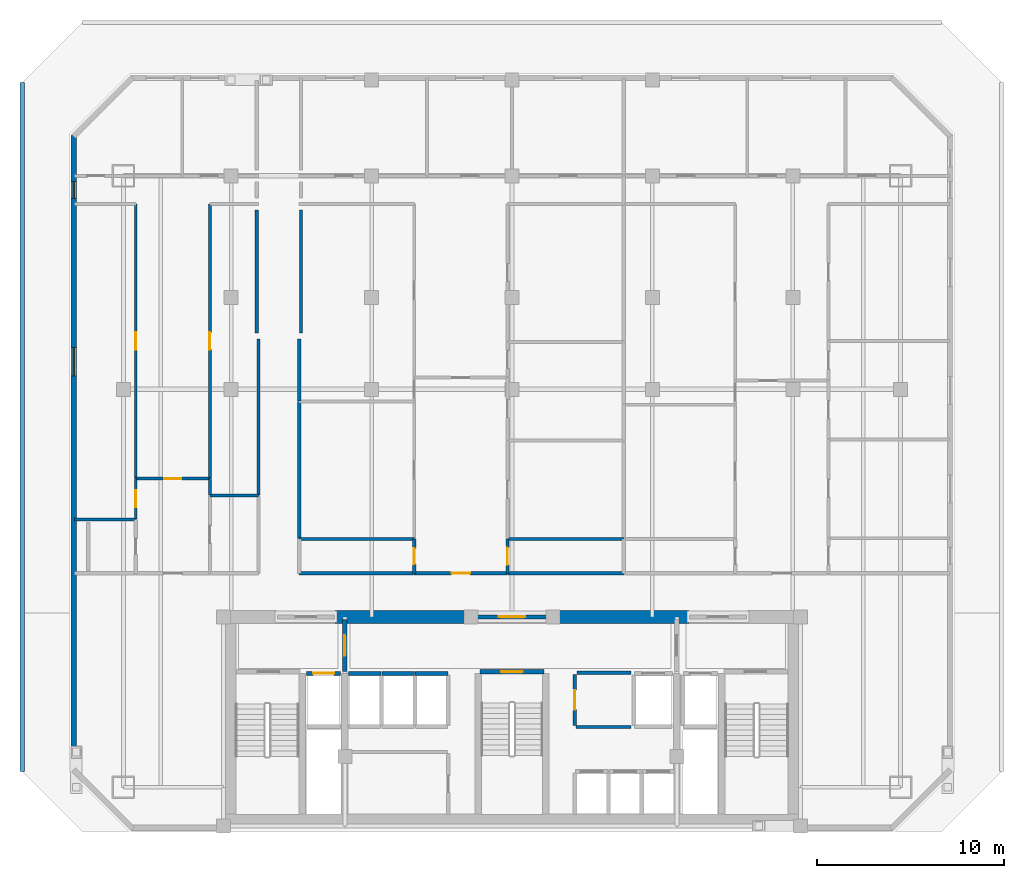
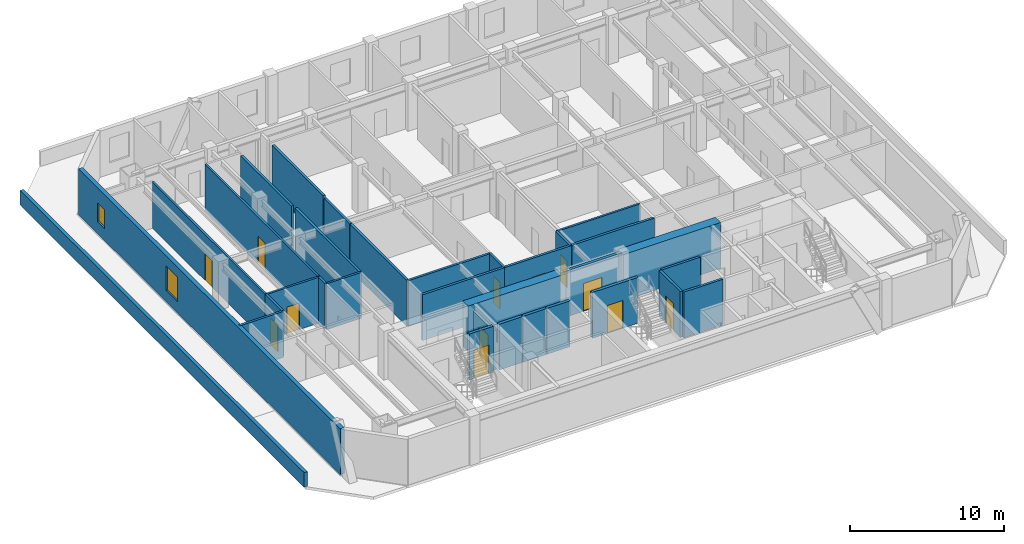
# One storey, part 3 of 8: 33 walls, 12 doors, 2 windows, 14 openings.
"""IFC4 building model written with IfcOpenShell, lengths in metres."""

import ifcopenshell
import ifcopenshell.guid

model = None  # the IFC model being written
_history = None  # IfcOwnerHistory: only IFC2X3 demands one
_inside = {}  # id of a spatial element -> (the spatial element, [elements in it])
_under = {}  # id of a project, library or spatial element -> (it, [spatial elements below it])
_declared = {}  # id of a project -> (the project, [libraries it declares])
_typed = {}  # id of a type object -> (the type object, [elements of that type])
_made_of = {}  # id of a material, layer set ... -> (it, [elements and type objects made of it])


def new_model(schema):
    """Start an empty IFC model of exactly this schema.

    Asked for "IFC4X3", IfcOpenShell would pick the latest addendum, in which some entities
    have other attributes; the version numbers below select the first issue.
    IFC2X3 requires an IfcOwnerHistory on every rooted entity: one is made here for all.
    """
    global model, _history
    if schema == "IFC4X3":
        model = ifcopenshell.file(schema_version=(4, 3, 0, 0))
    else:
        model = ifcopenshell.file(schema=schema)
    _inside.clear()
    _under.clear()
    _declared.clear()
    _typed.clear()
    _made_of.clear()
    _history = None
    if model.schema == "IFC2X3":
        org = make("IfcOrganization", Name="unknown")
        user = make(
            "IfcPersonAndOrganization",
            ThePerson=make("IfcPerson", FamilyName="unknown"),
            TheOrganization=org,
        )
        app = make(
            "IfcApplication",
            ApplicationDeveloper=org,
            Version="unknown",
            ApplicationFullName="unknown",
            ApplicationIdentifier="unknown",
        )
        _history = make(
            "IfcOwnerHistory",
            OwningUser=user,
            OwningApplication=app,
            ChangeAction="ADDED",
            CreationDate=0,
        )
    return model


def make(cls, **values):
    """One entity of the class cls with the attributes given. An attribute that is None is left unset."""
    return model.create_entity(
        cls, **{name: value for name, value in values.items() if value is not None}
    )


def rooted(cls, **values):
    """An entity with a GlobalId (a new one), such as an element, a storey or a relation."""
    return make(cls, GlobalId=ifcopenshell.guid.new(), OwnerHistory=_history, **values)


def si_unit(unit_type, name, prefix=None):
    """IfcSIUnit, for example si_unit("LENGTHUNIT", "METRE", prefix="MILLI")."""
    return make("IfcSIUnit", UnitType=unit_type, Prefix=prefix, Name=name)


def assignment(units):
    """IfcUnitAssignment: the units of a project."""
    return None if units is None else make("IfcUnitAssignment", Units=units)


def point(xyz):
    """IfcCartesianPoint."""
    return None if xyz is None else make("IfcCartesianPoint", Coordinates=xyz)


def direction(xyz):
    """IfcDirection."""
    return None if xyz is None else make("IfcDirection", DirectionRatios=xyz)


def frame(location, z_axis=None, x_axis=None):
    """IfcAxis2Placement3D, a coordinate frame: its origin and axes. An axis left out is left unset."""
    return make(
        "IfcAxis2Placement3D",
        Location=point(location),
        Axis=direction(z_axis),
        RefDirection=direction(x_axis),
    )


def frame_2d(location, x_axis=None):
    """IfcAxis2Placement2D, a coordinate frame in the plane: its origin and x axis."""
    return make(
        "IfcAxis2Placement2D", Location=point(location), RefDirection=direction(x_axis)
    )


def origin():
    """The frame at (0, 0, 0) with its axes left unset."""
    return frame((0.0, 0.0, 0.0))


def place(relative_to, where):
    """IfcLocalPlacement: puts the frame where relative to a parent placement (None: the world)."""
    return make(
        "IfcLocalPlacement", PlacementRelTo=relative_to, RelativePlacement=where
    )


def context(
    kind, dimensions, precision=None, world=None, true_north=None, identifier=None
):
    """IfcGeometricRepresentationContext, for example the 3D "Model" context."""
    return make(
        "IfcGeometricRepresentationContext",
        ContextIdentifier=identifier,
        ContextType=kind,
        CoordinateSpaceDimension=dimensions,
        Precision=precision,
        WorldCoordinateSystem=world,
        TrueNorth=true_north,
    )


def subcontext(parent, identifier, kind, view, scale=None):
    """IfcGeometricRepresentationSubContext, for example "Body" below "Model"."""
    return make(
        "IfcGeometricRepresentationSubContext",
        ContextIdentifier=identifier,
        ContextType=kind,
        ParentContext=parent,
        TargetScale=scale,
        TargetView=view,
    )


def project(units=None, contexts=None):
    """IfcProject with its units and contexts."""
    return rooted(
        "IfcProject",
        Name="project",
        RepresentationContexts=contexts,
        UnitsInContext=assignment(units),
    )


def spatial(cls, under=None, at=None, **own):
    """A site, building, storey or space (cls), placed at a placement, below another one or the project."""
    s = rooted(cls, ObjectPlacement=at, **own)
    if under is not None:
        _under.setdefault(under.id(), (under, []))[1].append(s)
    return s


def profile(cls, at=None, kind="AREA", **sizes):
    """A parametric profile (cls). Its sizes go by their IFC names, for example OverallWidth=200.0."""
    return make(cls, ProfileType=kind, Position=at, **sizes)


def rectangle(**sizes):
    """IfcRectangleProfileDef."""
    return profile("IfcRectangleProfileDef", **sizes)


def extrude(swept, where, along, depth):
    """IfcExtrudedAreaSolid: the profile swept, set in the frame where, extruded along a direction by depth."""
    return make(
        "IfcExtrudedAreaSolid",
        SweptArea=swept,
        Position=where,
        ExtrudedDirection=direction(along),
        Depth=depth,
    )


def shape(context_of_items, identifier, shape_type, items):
    """IfcShapeRepresentation: the items that make up one representation, for example the "Body"."""
    return make(
        "IfcShapeRepresentation",
        ContextOfItems=context_of_items,
        RepresentationIdentifier=identifier,
        RepresentationType=shape_type,
        Items=items,
    )


def material(Name=None, Category=None):
    """IfcMaterial."""
    return make("IfcMaterial", Name=Name, Category=Category)


def layer(
    of_material, thickness, ventilated=None, Name=None, Category=None, Priority=None
):
    """IfcMaterialLayer: one layer of a wall or slab, of a material (None: an air gap)."""
    return make(
        "IfcMaterialLayer",
        Material=of_material,
        LayerThickness=thickness,
        IsVentilated=ventilated,
        Name=Name,
        Category=Category,
        Priority=Priority,
    )


def layer_set(layers, Name=None):
    """IfcMaterialLayerSet."""
    return make("IfcMaterialLayerSet", MaterialLayers=layers, LayerSetName=Name)


def made_of(thing, what):
    """Note that an element or type object is made of a material, layer set ...; save() writes the relation."""
    if what is not None:
        _made_of.setdefault(what.id(), (what, []))[1].append(thing)
    return thing


def type_object(cls, material=None, **own):
    """A type object (cls), such as IfcWallType, which elements share."""
    return made_of(rooted(cls, **own), material)


def element(
    cls,
    number,
    at=None,
    inside=None,
    cuts=None,
    type_object=None,
    material=None,
    context=None,
    identifier="Body",
    shape_type=None,
    held_by="IfcProductDefinitionShape",
    body=None,
    shapes=None,
    **own,
):
    """One element of the class cls, such as IfcWall. Its Tag is "e" and its number.

    at: its placement. inside: the storey or other place that contains it. cuts: it is an
    opening in that element (IfcRelVoidsElement). A single representation is given by context,
    identifier, shape_type and body (its items); several are given by shapes. held_by: the class
    of the entity that holds the representations. save() writes the other relations.
    """
    e = rooted(cls, Tag="e%d" % number, ObjectPlacement=at, **own)
    if body is not None:
        shapes = [shape(context, identifier, shape_type, body)]
    if shapes is not None:
        e.Representation = make(held_by, Representations=shapes)
    if inside is not None:
        _inside.setdefault(inside.id(), (inside, []))[1].append(e)
    if cuts is not None:
        rooted(
            "IfcRelVoidsElement", RelatingBuildingElement=cuts, RelatedOpeningElement=e
        )
    if type_object is not None:
        _typed.setdefault(type_object.id(), (type_object, []))[1].append(e)
    return made_of(e, material)


def fill(opening, filler):
    """IfcRelFillsElement: the door or window that sits in an opening."""
    return rooted(
        "IfcRelFillsElement",
        RelatingOpeningElement=opening,
        RelatedBuildingElement=filler,
    )


def aggregate(whole, parts):
    """IfcRelAggregates: a whole, such as a stair, and the parts it consists of."""
    return rooted("IfcRelAggregates", RelatingObject=whole, RelatedObjects=parts)


def save(model, path):
    """Write the relations noted so far, then the file.

    IfcRelAggregates (storeys below a building ...), IfcRelContainedInSpatialStructure (elements
    in a storey), IfcRelDefinesByType, IfcRelAssociatesMaterial and IfcRelDeclares: one each for
    every whole, place, type object, material and project.
    """
    for whole, parts in _under.values():
        aggregate(whole, parts)
    for where, things in _inside.values():
        rooted(
            "IfcRelContainedInSpatialStructure",
            RelatedElements=things,
            RelatingStructure=where,
        )
    for kind, things in _typed.values():
        rooted("IfcRelDefinesByType", RelatedObjects=things, RelatingType=kind)
    for what, things in _made_of.values():
        rooted("IfcRelAssociatesMaterial", RelatedObjects=things, RelatingMaterial=what)
    for by, libraries in _declared.values():
        rooted("IfcRelDeclares", RelatingContext=by, RelatedDefinitions=libraries)
    model.write(path)


model = new_model("IFC4")

# Units and contexts
model_context = context("Model", 3, precision=1e-05, world=origin(), true_north=direction((0.0, 1.0)))
body_context = subcontext(model_context, "Body", "Model", "MODEL_VIEW")
ifc_project = project(units=[si_unit("LENGTHUNIT", "METRE"), si_unit("AREAUNIT", "SQUARE_METRE"), si_unit("VOLUMEUNIT", "CUBIC_METRE"), si_unit("PLANEANGLEUNIT", "RADIAN"), si_unit("MASSUNIT", "GRAM", prefix="KILO")], contexts=[model_context])

# Site, building, storey
site_placement = place(None, origin())
site = spatial("IfcSite", under=ifc_project, at=site_placement, CompositionType="ELEMENT")
building_placement = place(site_placement, origin())
building = spatial("IfcBuilding", under=site, at=building_placement, Name="Ventersveld Concourse Tower", CompositionType="ELEMENT")
storey_placement = place(building_placement, frame((0.0, 0.0, 156.75)))
storey = spatial("IfcBuildingStorey", under=building, at=storey_placement, Name="L38", CompositionType="ELEMENT", Elevation=156.75)

# Walls
ifc_material_1 = material(Name="Concrete C60/75", Category="concrete")
ifc_layer_1 = layer(ifc_material_1, 0.699951171875)
ifc_layer_set_1 = layer_set([ifc_layer_1], Name="Concrete C60/75")
wall_type_1 = type_object("IfcWallType", Name="WL-CORE-700", PredefinedType="SHEAR", material=ifc_layer_set_1)
for number, where, z_axis, x_axis, name in (
    (1, (19.300048828125, 11.449951171875, 0.0), (0.0, 0.0, 1.0), (1.0, 0.0, 0.0), "L38 Rear Core North Shear Wall NML"),
    (2, (30.89990234375, 11.449951171875, 0.0), (0.0, 0.0, 1.0), (1.0, 0.0, 0.0), "L38 Rear Core North Shear Wall NMR"),
):
    element("IfcWall", number, at=place(storey_placement, frame(where, z_axis=z_axis, x_axis=x_axis)), inside=storey, type_object=wall_type_1, Name=name, PredefinedType="SHEAR", context=body_context, shape_type="SweptSolid", body=[
        extrude(rectangle(XDim=7.300048828125, YDim=0.699951171875, at=frame_2d((3.64990234375, 0.0))), origin(), (0.0, 0.0, 1.0), 3.6298828125),
    ])

# Wall, opening, door
ifc_material_2 = material(Name="Fire-rated autoclaved aerated masonry blockwork", Category="masonry")
ifc_layer_2 = layer(ifc_material_2, 0.179931640625)
ifc_layer_set_2 = layer_set([ifc_layer_2], Name="Fire-rated autoclaved aerated masonry blockwork")
wall_type_2 = type_object("IfcWallType", Name="WL-CORR-180", PredefinedType="PARTITIONING", material=ifc_layer_set_2)
wall_1_placement = place(storey_placement, frame((32.10009765625, 5.64990234375, 0.0), z_axis=(0.0, 0.0, 1.0), x_axis=(0.0, 1.0, 0.0)))
wall_1 = element("IfcWall", 3, at=wall_1_placement, inside=storey, type_object=wall_type_2, Name="L38 Core Passage Wall SP-L38-CBAY1", PredefinedType="PARTITIONING", context=body_context, shape_type="SweptSolid", body=[
    extrude(rectangle(XDim=2.72998046875, YDim=0.179931640625, at=frame_2d((1.364990234375, 0.0))), origin(), (0.0, 0.0, 1.0), 3.6298828125),
])
opening_1_placement = place(wall_1_placement, frame((0.840087890625, 0.0, 0.0)))
opening_1 = element("IfcOpeningElement", 4, at=opening_1_placement, cuts=wall_1, Name="Opening ID3", PredefinedType="OPENING", context=body_context, shape_type="SweptSolid", body=[
    extrude(rectangle(XDim=1.050048828125, YDim=2.14990234375, at=frame_2d((0.52490234375, 1.074951171875))), frame((0.0, 0.10009765625, 0.0), z_axis=(0.0, -1.0, 0.0), x_axis=(1.0, 0.0, 0.0)), (0.0, 0.0, 1.0), 0.199951171875),
])
ifc_material_3 = material(Name="Solid-core hardwood veneer timber", Category="wood")
door_type_1 = type_object("IfcDoorType", Name="DR-AWC-105", OperationType="NOTDEFINED", PredefinedType="DOOR", material=ifc_material_3)
door_1_placement = place(opening_1_placement, origin())
door_1 = element("IfcDoor", 5, at=door_1_placement, inside=storey, type_object=door_type_1, Name="L38 Core Room Door L38 Core Unisex Accessible WC (CD-L38-1859)", OperationType="SINGLE_SWING_RIGHT", OverallHeight=2.14990234375, OverallWidth=1.050048828125, PredefinedType="DOOR", context=body_context, shape_type="SweptSolid", body=[
    extrude(rectangle(XDim=1.050048828125, YDim=2.14990234375, at=frame_2d((0.52490234375, 1.074951171875))), frame((0.0, 0.02490234375, 0.0), z_axis=(0.0, -1.0, 0.0), x_axis=(1.0, 0.0, 0.0)), (0.0, 0.0, 1.0), 0.050048828125),
])
fill(opening_1, door_1)

# Walls
wall_2_placement = place(storey_placement, frame((32.219970703125, 8.4599609375, 0.0), z_axis=(0.0, 0.0, 1.0), x_axis=(1.0, 0.0, 0.0)))
element("IfcWall", 6, at=wall_2_placement, inside=storey, type_object=wall_type_2, Name="L38 Core Top Wall SP-L38-CBAY1", PredefinedType="PARTITIONING", context=body_context, shape_type="SweptSolid", body=[
    extrude(rectangle(XDim=2.880126953125, YDim=0.179931640625, at=frame_2d((1.43994140625, 0.0))), origin(), (0.0, 0.0, 1.0), 3.6298828125),
])
wall_3_placement = place(storey_placement, frame((32.179931640625, 5.570068359375, 0.0), z_axis=(0.0, 0.0, 1.0), x_axis=(1.0, 0.0, 0.0)))
element("IfcWall", 7, at=wall_3_placement, inside=storey, type_object=wall_type_2, Name="L38 Core Bot Wall SP-L38-CBAY1", PredefinedType="PARTITIONING", context=body_context, shape_type="SweptSolid", body=[
    extrude(rectangle(XDim=2.920166015625, YDim=0.179931640625, at=frame_2d((1.4599609375, 0.0))), origin(), (0.0, 0.0, 1.0), 3.6298828125),
])
wall_4_placement = place(storey_placement, frame((15.2099609375, 17.96630859375, 0.0), z_axis=(0.0, 0.0, 1.0), x_axis=(0.0, 1.0, 0.0)))
element("IfcWall", 8, at=wall_4_placement, inside=storey, type_object=wall_type_2, Name="L38 Interior Partition SP-L38-COR-SP-L38-38NW-DENR", PredefinedType="PARTITIONING", context=body_context, shape_type="SweptSolid", body=[
    extrude(rectangle(XDim=8.32861328125, YDim=0.179931640625, at=frame_2d((4.164306640625, 0.0))), origin(), (0.0, 0.0, 1.0), 3.6298828125),
])

# Wall, opening, door
wall_5_placement = place(storey_placement, frame((23.5244140625, 13.77001953125, 0.0), z_axis=(0.0, 0.0, 1.0), x_axis=(1.0, 0.0, 0.0)))
wall_5 = element("IfcWall", 9, at=wall_5_placement, inside=storey, type_object=wall_type_2, Name="L38 Interior Partition SP-L38-COR-SP-L38-38N1-FOY", PredefinedType="PARTITIONING", context=body_context, shape_type="SweptSolid", body=[
    extrude(rectangle(XDim=4.989990234375, YDim=0.179931640625, at=frame_2d((2.4951171875, 0.0))), origin(), (0.0, 0.0, 1.0), 3.6298828125),
])
opening_2_placement = place(wall_5_placement, frame((1.9951171875, 0.0, 0.0)))
opening_2 = element("IfcOpeningElement", 10, at=opening_2_placement, cuts=wall_5, Name="Opening FD3", PredefinedType="OPENING", context=body_context, shape_type="SweptSolid", body=[
    extrude(rectangle(XDim=1.0, YDim=2.14990234375, at=frame_2d((0.5, 1.074951171875))), frame((0.0, 0.10009765625, 0.0), z_axis=(0.0, -1.0, 0.0), x_axis=(1.0, 0.0, 0.0)), (0.0, 0.0, 1.0), 0.199951171875),
])
door_type_2 = type_object("IfcDoorType", Name="DR-FLAT-100", OperationType="NOTDEFINED", PredefinedType="DOOR", material=ifc_material_3)
door_2_placement = place(opening_2_placement, origin())
door_2 = element("IfcDoor", 11, at=door_2_placement, inside=storey, type_object=door_type_2, Name="L38 Interior Door SP-L38-COR to SP-L38-38N1-FOY (FD-L38-1861)", OperationType="SINGLE_SWING_LEFT", OverallHeight=2.14990234375, OverallWidth=1.0, PredefinedType="DOOR", context=body_context, shape_type="SweptSolid", body=[
    extrude(rectangle(XDim=1.0, YDim=2.14990234375, at=frame_2d((0.5, 1.074951171875))), frame((0.0, 0.02490234375, 0.0), z_axis=(0.0, -1.0, 0.0), x_axis=(1.0, 0.0, 0.0)), (0.0, 0.0, 1.0), 0.050048828125),
])
fill(opening_2, door_2)

# Walls
wall_6_placement = place(storey_placement, frame((17.385009765625, 13.77001953125, 0.0), z_axis=(0.0, 0.0, 1.0), x_axis=(1.0, 0.0, 0.0)))
element("IfcWall", 12, at=wall_6_placement, inside=storey, type_object=wall_type_2, Name="L38 Interior Partition SP-L38-COR-SP-L38-38N1-BATH", PredefinedType="PARTITIONING", context=body_context, shape_type="SweptSolid", body=[
    extrude(rectangle(XDim=6.109375, YDim=0.179931640625, at=frame_2d((3.0546875, 0.0))), origin(), (0.0, 0.0, 1.0), 3.6298828125),
])
wall_7_placement = place(storey_placement, frame((17.389892578125, 15.635009765625, 0.0), z_axis=(0.0, 0.0, 1.0), x_axis=(0.0, 1.0, 0.0)))
element("IfcWall", 13, at=wall_7_placement, inside=storey, type_object=wall_type_2, Name="L38 Interior Partition SP-L38-COR-SP-L38-38N1-OFFL0", PredefinedType="PARTITIONING", context=body_context, shape_type="SweptSolid", body=[
    extrude(rectangle(XDim=7.319580078125, YDim=0.179931640625, at=frame_2d((3.65966796875, 0.0))), origin(), (0.0, 0.0, 1.0), 3.6298828125),
])
wall_8_placement = place(storey_placement, frame((17.389892578125, 22.984619140625, 0.0), z_axis=(0.0, 0.0, 1.0), x_axis=(0.0, 1.0, 0.0)))
element("IfcWall", 14, at=wall_8_placement, inside=storey, type_object=wall_type_2, Name="L38 Interior Partition SP-L38-COR-SP-L38-38N1-DENL2", PredefinedType="PARTITIONING", context=body_context, shape_type="SweptSolid", body=[
    extrude(rectangle(XDim=3.310302734375, YDim=0.179931640625, at=frame_2d((1.6552734375, 0.0))), origin(), (0.0, 0.0, 1.0), 3.6298828125),
])
wall_9_placement = place(storey_placement, frame((28.544189453125, 13.77001953125, 0.0), z_axis=(0.0, 0.0, 1.0), x_axis=(1.0, 0.0, 0.0)))
element("IfcWall", 15, at=wall_9_placement, inside=storey, type_object=wall_type_2, Name="L38 Interior Partition SP-L38-COR-SP-L38-38N1-KIT", PredefinedType="PARTITIONING", context=body_context, shape_type="SweptSolid", body=[
    extrude(rectangle(XDim=6.180908203125, YDim=0.179931640625, at=frame_2d((3.09033203125, 0.0))), origin(), (0.0, 0.0, 1.0), 3.6298828125),
])
for number, where, z_axis, x_axis, name in (
    (16, (15.1201171875, 33.175048828125, 0.0), (0.0, 0.0, 1.0), (0.0, -1.0, 0.0), "L38 Room Enclosure Wall SP-L38-38NW-DENR"),
    (17, (17.47998046875, 26.60986328125, 0.0), (0.0, 0.0, 1.0), (0.0, 1.0, 0.0), "L38 Room Enclosure Wall SP-L38-38N1-DENL2"),
):
    element("IfcWall", number, at=place(storey_placement, frame(where, z_axis=z_axis, x_axis=x_axis)), inside=storey, type_object=wall_type_2, Name=name, PredefinedType="PARTITIONING", context=body_context, shape_type="SweptSolid", body=[
        extrude(rectangle(XDim=6.565185546875, YDim=0.179931640625, at=frame_2d((3.28271484375, 0.0))), origin(), (0.0, 0.0, 1.0), 3.6298828125),
    ])

# Wall, opening, door
ifc_layer_3 = layer(ifc_material_2, 0.219970703125)
ifc_layer_set_3 = layer_set([ifc_layer_3], Name="Fire-rated autoclaved aerated masonry blockwork")
wall_type_3 = type_object("IfcWallType", Name="WL-HOIST-220", PredefinedType="SOLIDWALL", material=ifc_layer_set_3)
wall_10_placement = place(storey_placement, frame((17.780029296875, 8.429931640625, 0.0), z_axis=(0.0, 0.0, 1.0), x_axis=(1.0, 0.0, 0.0)))
wall_10 = element("IfcWall", 18, at=wall_10_placement, inside=storey, type_object=wall_type_3, Name="L38 Lift Hoistway Front Wall FFL-01", PredefinedType="SOLIDWALL", context=body_context, shape_type="SweptSolid", body=[
    extrude(rectangle(XDim=1.820068359375, YDim=0.219970703125, at=frame_2d((0.91015625, 0.0))), origin(), (0.0, 0.0, 1.0), 3.6298828125),
])
opening_3_placement = place(wall_10_placement, frame((0.35009765625, 0.0, 0.0)))
opening_3 = element("IfcOpeningElement", 19, at=opening_3_placement, cuts=wall_10, Name="Opening LD1", PredefinedType="OPENING", context=body_context, shape_type="SweptSolid", body=[
    extrude(rectangle(XDim=1.1201171875, YDim=2.25, at=frame_2d((0.56005859375, 1.125))), frame((0.0, 0.1201171875, 0.0), z_axis=(0.0, -1.0, 0.0), x_axis=(1.0, 0.0, 0.0)), (0.0, 0.0, 1.0), 0.239990234375),
])
ifc_material_4 = material(Name="Brushed stainless steel 316", Category="steel")
door_type_3 = type_object("IfcDoorType", Name="LD-FF-112", OperationType="SLIDING_TO_LEFT", PredefinedType="DOOR", material=ifc_material_4)
door_3_placement = place(opening_3_placement, origin())
door_3 = element("IfcDoor", 20, at=door_3_placement, inside=storey, type_object=door_type_3, Name="L38 Lift landing door FFL-01 (LD-L38-FFL-01)", OperationType="SLIDING_TO_LEFT", OverallHeight=2.25, OverallWidth=1.1201171875, PredefinedType="DOOR", context=body_context, shape_type="SweptSolid", body=[
    extrude(rectangle(XDim=1.1201171875, YDim=2.25, at=frame_2d((0.56005859375, 1.125))), frame((0.0, 0.02490234375, 0.0), z_axis=(0.0, -1.0, 0.0), x_axis=(1.0, 0.0, 0.0)), (0.0, 0.0, 1.0), 0.050048828125),
])
fill(opening_3, door_3)

# Walls
for number, where, z_axis, x_axis, name in (
    (21, (20.02001953125, 8.429931640625, 0.0), (0.0, 0.0, 1.0), (1.0, 0.0, 0.0), "L38 Lift Hoistway Front Wall PH-01"),
    (22, (21.800048828125, 8.429931640625, 0.0), (0.0, 0.0, 1.0), (1.0, 0.0, 0.0), "L38 Lift Hoistway Front Wall PH-02"),
    (23, (23.580078125, 8.429931640625, 0.0), (0.0, 0.0, 1.0), (1.0, 0.0, 0.0), "L38 Lift Hoistway Front Wall PH-03"),
):
    element("IfcWall", number, at=place(storey_placement, frame(where, z_axis=z_axis, x_axis=x_axis)), inside=storey, type_object=wall_type_3, Name=name, PredefinedType="SOLIDWALL", context=body_context, shape_type="SweptSolid", body=[
        extrude(rectangle(XDim=1.739990234375, YDim=0.219970703125, at=frame_2d((0.8701171875, 0.0))), origin(), (0.0, 0.0, 1.0), 3.6298828125),
    ])

# Wall, opening, door
wall_11_placement = place(storey_placement, frame((27.0400390625, 8.52001953125, 0.0), z_axis=(0.0, 0.0, 1.0), x_axis=(1.0, 0.0, 0.0)))
wall_11 = element("IfcWall", 24, at=wall_11_placement, inside=storey, type_object=wall_type_3, Name="L38 Escape Stair ST03 Fire Wall", PredefinedType="SOLIDWALL", context=body_context, shape_type="SweptSolid", body=[
    extrude(rectangle(XDim=3.419921875, YDim=0.219970703125, at=frame_2d((1.7099609375, 0.0))), origin(), (0.0, 0.0, 1.0), 3.6298828125),
])
opening_4_placement = place(wall_11_placement, frame((1.135009765625, 0.0, 0.0)))
opening_4 = element("IfcOpeningElement", 25, at=opening_4_placement, cuts=wall_11, Name="Opening FD1", PredefinedType="OPENING", context=body_context, shape_type="SweptSolid", body=[
    extrude(rectangle(XDim=1.14990234375, YDim=2.199951171875, at=frame_2d((0.574951171875, 1.10009765625))), frame((0.0, 0.1201171875, 0.0), z_axis=(0.0, -1.0, 0.0), x_axis=(1.0, 0.0, 0.0)), (0.0, 0.0, 1.0), 0.239990234375),
])
ifc_material_5 = material(Name="Galvanised painted steel", Category="steel")
door_type_4 = type_object("IfcDoorType", Name="DR-STAIR-115", OperationType="NOTDEFINED", PredefinedType="DOOR", material=ifc_material_5)
door_4_placement = place(opening_4_placement, origin())
door_4 = element("IfcDoor", 26, at=door_4_placement, inside=storey, type_object=door_type_4, Name="L38 Escape Stair Door ST03 (SD-L38-1852)", OperationType="SINGLE_SWING_LEFT", OverallHeight=2.199951171875, OverallWidth=1.14990234375, PredefinedType="DOOR", context=body_context, shape_type="SweptSolid", body=[
    extrude(rectangle(XDim=1.14990234375, YDim=2.199951171875, at=frame_2d((0.574951171875, 1.10009765625))), frame((0.0, 0.02490234375, 0.0), z_axis=(0.0, -1.0, 0.0), x_axis=(1.0, 0.0, 0.0)), (0.0, 0.0, 1.0), 0.050048828125),
])
fill(opening_4, door_4)

wall_12_placement = place(storey_placement, frame((19.820068359375, 8.52001953125, 0.0), z_axis=(0.0, 0.0, 1.0), x_axis=(0.0, 1.0, 0.0)))
wall_12 = element("IfcWall", 27, at=wall_12_placement, inside=storey, type_object=wall_type_3, Name="L38 Firefighting Lobby Smoke-Stop Wall FFLW-SEP", PredefinedType="SOLIDWALL", context=body_context, shape_type="SweptSolid", body=[
    extrude(rectangle(XDim=2.800048828125, YDim=0.219970703125, at=frame_2d((1.39990234375, 0.0))), origin(), (0.0, 0.0, 1.0), 3.08544921875),
])
opening_5_placement = place(wall_12_placement, frame((0.85009765625, 0.0, 0.0)))
opening_5 = element("IfcOpeningElement", 28, at=opening_5_placement, cuts=wall_12, Name="Opening FD2", PredefinedType="OPENING", context=body_context, shape_type="SweptSolid", body=[
    extrude(rectangle(XDim=1.10009765625, YDim=2.199951171875, at=frame_2d((0.550048828125, 1.10009765625))), frame((0.0, 0.1201171875, 0.0), z_axis=(0.0, -1.0, 0.0), x_axis=(1.0, 0.0, 0.0)), (0.0, 0.0, 1.0), 0.239990234375),
])
door_type_5 = type_object("IfcDoorType", Name="DR-FFL-110", OperationType="NOTDEFINED", PredefinedType="DOOR", material=ifc_material_5)
door_5_placement = place(opening_5_placement, origin())
door_5 = element("IfcDoor", 29, at=door_5_placement, inside=storey, type_object=door_type_5, Name="L38 Firefighting Lobby Door FFLW-SEP (FD-L38-1853)", OperationType="SINGLE_SWING_LEFT", OverallHeight=2.199951171875, OverallWidth=1.10009765625, PredefinedType="DOOR", context=body_context, shape_type="SweptSolid", body=[
    extrude(rectangle(XDim=1.10009765625, YDim=2.199951171875, at=frame_2d((0.550048828125, 1.10009765625))), frame((0.0, 0.02490234375, 0.0), z_axis=(0.0, -1.0, 0.0), x_axis=(1.0, 0.0, 0.0)), (0.0, 0.0, 1.0), 0.050048828125),
])
fill(opening_5, door_5)

wall_13_placement = place(storey_placement, frame((26.6298828125, 11.449951171875, 0.0), z_axis=(0.0, 0.0, 1.0), x_axis=(1.0, 0.0, 0.0)))
wall_13 = element("IfcWall", 30, at=wall_13_placement, inside=storey, type_object=wall_type_3, Name="L38 Core North Fire Portal PLOB-OUT", PredefinedType="SOLIDWALL", context=body_context, shape_type="SweptSolid", body=[
    extrude(rectangle(XDim=4.240234375, YDim=0.219970703125, at=frame_2d((2.1201171875, 0.0))), origin(), (0.0, 0.0, 1.0), 3.6298828125),
])
opening_6_placement = place(wall_13_placement, frame((1.419921875, 0.0, 0.0)))
opening_6 = element("IfcOpeningElement", 31, at=opening_6_placement, cuts=wall_13, Name="Opening FD4", PredefinedType="OPENING", context=body_context, shape_type="SweptSolid", body=[
    extrude(rectangle(XDim=1.39990234375, YDim=2.199951171875, at=frame_2d((0.699951171875, 1.10009765625))), frame((0.0, 0.1201171875, 0.0), z_axis=(0.0, -1.0, 0.0), x_axis=(1.0, 0.0, 0.0)), (0.0, 0.0, 1.0), 0.239990234375),
])
door_type_6 = type_object("IfcDoorType", Name="DR-PLANT-140", OperationType="DOUBLE_DOOR_SINGLE_SWING", PredefinedType="DOOR", material=ifc_material_5)
door_6_placement = place(opening_6_placement, origin())
door_6 = element("IfcDoor", 32, at=door_6_placement, inside=storey, type_object=door_type_6, Name="L38 Core Lobby Fire Door PLOB-OUT (FD-L38-1856)", OperationType="DOUBLE_DOOR_SINGLE_SWING", OverallHeight=2.199951171875, OverallWidth=1.39990234375, PredefinedType="DOOR", context=body_context, shape_type="SweptSolid", body=[
    extrude(rectangle(XDim=1.39990234375, YDim=2.199951171875, at=frame_2d((0.699951171875, 1.10009765625))), frame((0.0, 0.02490234375, 0.0), z_axis=(0.0, -1.0, 0.0), x_axis=(1.0, 0.0, 0.0)), (0.0, 0.0, 1.0), 0.050048828125),
])
fill(opening_6, door_6)

ifc_material_6 = material(Name="Autoclaved aerated masonry blockwork", Category="masonry")
ifc_layer_4 = layer(ifc_material_6, 0.14990234375)
ifc_layer_set_4 = layer_set([ifc_layer_4], Name="Autoclaved aerated masonry blockwork")
wall_type_4 = type_object("IfcWallType", Name="WL-INT-150", PredefinedType="PARTITIONING", material=ifc_layer_set_4)
wall_14_placement = place(storey_placement, frame((8.65380859375, 18.83349609375, 0.0), z_axis=(0.0, 0.0, 1.0), x_axis=(1.0, 0.0, 0.0)))
wall_14 = element("IfcWall", 33, at=wall_14_placement, inside=storey, type_object=wall_type_4, Name="L38 Interior Partition SP-L38-38NW-FOY-SP-L38-38NW-LIV", PredefinedType="PARTITIONING", context=body_context, shape_type="SweptSolid", body=[
    extrude(rectangle(XDim=3.969970703125, YDim=0.14990234375, at=frame_2d((1.98486328125, 0.0))), origin(), (0.0, 0.0, 1.0), 3.6298828125),
])
opening_7_placement = place(wall_14_placement, frame((1.52490234375, 0.0, 0.0)))
opening_7 = element("IfcOpeningElement", 34, at=opening_7_placement, cuts=wall_14, Name="Opening ID1", PredefinedType="OPENING", context=body_context, shape_type="SweptSolid", body=[
    extrude(rectangle(XDim=0.919921875, YDim=2.10009765625, at=frame_2d((0.4599609375, 1.050048828125))), frame((0.0, 0.0849609375, 0.0), z_axis=(0.0, -1.0, 0.0), x_axis=(1.0, 0.0, 0.0)), (0.0, 0.0, 1.0), 0.169921875),
])
door_type_7 = type_object("IfcDoorType", Name="DR-ROOM-092", OperationType="NOTDEFINED", PredefinedType="DOOR", material=ifc_material_3)
door_7_placement = place(opening_7_placement, origin())
door_7 = element("IfcDoor", 35, at=door_7_placement, inside=storey, type_object=door_type_7, Name="L38 Interior Door SP-L38-38NW-FOY to SP-L38-38NW-LIV (D-L38-1863)", OperationType="SINGLE_SWING_LEFT", OverallHeight=2.10009765625, OverallWidth=0.919921875, PredefinedType="DOOR", context=body_context, shape_type="SweptSolid", body=[
    extrude(rectangle(XDim=0.919921875, YDim=2.10009765625, at=frame_2d((0.4599609375, 1.050048828125))), frame((0.0, 0.02490234375, 0.0), z_axis=(0.0, -1.0, 0.0), x_axis=(1.0, 0.0, 0.0)), (0.0, 0.0, 1.0), 0.050048828125),
])
fill(opening_7, door_7)

wall_15_placement = place(storey_placement, frame((8.65869140625, 16.680419921875, 0.0), z_axis=(0.0, 0.0, 1.0), x_axis=(0.0, 1.0, 0.0)))
wall_15 = element("IfcWall", 36, at=wall_15_placement, inside=storey, type_object=wall_type_4, Name="L38 Interior Partition SP-L38-38NW-FOY-SP-L38-38NW-OFFL0", PredefinedType="PARTITIONING", context=body_context, shape_type="SweptSolid", body=[
    extrude(rectangle(XDim=2.157958984375, YDim=0.14990234375, at=frame_2d((1.0791015625, 0.0))), origin(), (0.0, 0.0, 1.0), 3.6298828125),
])
opening_8_placement = place(wall_15_placement, frame((0.618896484375, 0.0, 0.0)))
opening_8 = element("IfcOpeningElement", 37, at=opening_8_placement, cuts=wall_15, Name="Opening ID1", PredefinedType="OPENING", context=body_context, shape_type="SweptSolid", body=[
    extrude(rectangle(XDim=0.919921875, YDim=2.10009765625, at=frame_2d((0.4599609375, 1.050048828125))), frame((0.0, 0.0849609375, 0.0), z_axis=(0.0, -1.0, 0.0), x_axis=(1.0, 0.0, 0.0)), (0.0, 0.0, 1.0), 0.169921875),
])
door_8_placement = place(opening_8_placement, origin())
door_8 = element("IfcDoor", 38, at=door_8_placement, inside=storey, type_object=door_type_7, Name="L38 Interior Door SP-L38-38NW-FOY to SP-L38-38NW-OFFL0 (D-L38-1865)", OperationType="SINGLE_SWING_LEFT", OverallHeight=2.10009765625, OverallWidth=0.919921875, PredefinedType="DOOR", context=body_context, shape_type="SweptSolid", body=[
    extrude(rectangle(XDim=0.919921875, YDim=2.10009765625, at=frame_2d((0.4599609375, 1.050048828125))), frame((0.0, 0.02490234375, 0.0), z_axis=(0.0, -1.0, 0.0), x_axis=(1.0, 0.0, 0.0)), (0.0, 0.0, 1.0), 0.050048828125),
])
fill(opening_8, door_8)

# Wall
wall_16_placement = place(storey_placement, frame((12.61865234375, 17.96630859375, 0.0), z_axis=(0.0, 0.0, 1.0), x_axis=(0.0, 1.0, 0.0)))
element("IfcWall", 39, at=wall_16_placement, inside=storey, type_object=wall_type_4, Name="L38 Interior Partition SP-L38-38NW-FOY-SP-L38-38NW-DENR", PredefinedType="PARTITIONING", context=body_context, shape_type="SweptSolid", body=[
    extrude(rectangle(XDim=0.8720703125, YDim=0.14990234375, at=frame_2d((0.43603515625, 0.0))), origin(), (0.0, 0.0, 1.0), 3.6298828125),
])

# Wall, opening, door
wall_17_placement = place(storey_placement, frame((8.65869140625, 18.868408203125, 0.0), z_axis=(0.0, 0.0, 1.0), x_axis=(0.0, 1.0, 0.0)))
wall_17 = element("IfcWall", 40, at=wall_17_placement, inside=storey, type_object=wall_type_4, Name="L38 Interior Partition SP-L38-38NW-LIV-SP-L38-38NW-OFFL0", PredefinedType="PARTITIONING", context=body_context, shape_type="SweptSolid", body=[
    extrude(rectangle(XDim=14.636474609375, YDim=0.14990234375, at=frame_2d((7.318359375, 0.0))), origin(), (0.0, 0.0, 1.0), 3.6298828125),
])
opening_9_placement = place(wall_17_placement, frame((6.8583984375, 0.0, 0.0)))
opening_9 = element("IfcOpeningElement", 41, at=opening_9_placement, cuts=wall_17, Name="Opening ID1", PredefinedType="OPENING", context=body_context, shape_type="SweptSolid", body=[
    extrude(rectangle(XDim=0.919921875, YDim=2.10009765625, at=frame_2d((0.4599609375, 1.050048828125))), frame((0.0, 0.0849609375, 0.0), z_axis=(0.0, -1.0, 0.0), x_axis=(1.0, 0.0, 0.0)), (0.0, 0.0, 1.0), 0.169921875),
])
door_9_placement = place(opening_9_placement, origin())
door_9 = element("IfcDoor", 42, at=door_9_placement, inside=storey, type_object=door_type_7, Name="L38 Interior Door SP-L38-38NW-LIV to SP-L38-38NW-OFFL0 (D-L38-1867)", OperationType="SINGLE_SWING_LEFT", OverallHeight=2.10009765625, OverallWidth=0.919921875, PredefinedType="DOOR", context=body_context, shape_type="SweptSolid", body=[
    extrude(rectangle(XDim=0.919921875, YDim=2.10009765625, at=frame_2d((0.4599609375, 1.050048828125))), frame((0.0, 0.02490234375, 0.0), z_axis=(0.0, -1.0, 0.0), x_axis=(1.0, 0.0, 0.0)), (0.0, 0.0, 1.0), 0.050048828125),
])
fill(opening_9, door_9)

wall_18_placement = place(storey_placement, frame((12.61865234375, 18.868408203125, 0.0), z_axis=(0.0, 0.0, 1.0), x_axis=(0.0, 1.0, 0.0)))
wall_18 = element("IfcWall", 43, at=wall_18_placement, inside=storey, type_object=wall_type_4, Name="L38 Interior Partition SP-L38-38NW-LIV-SP-L38-38NW-DENR", PredefinedType="PARTITIONING", context=body_context, shape_type="SweptSolid", body=[
    extrude(rectangle(XDim=14.636474609375, YDim=0.14990234375, at=frame_2d((7.318359375, 0.0))), origin(), (0.0, 0.0, 1.0), 3.6298828125),
])
opening_10_placement = place(wall_18_placement, frame((6.8583984375, 0.0, 0.0)))
opening_10 = element("IfcOpeningElement", 44, at=opening_10_placement, cuts=wall_18, Name="Opening ID1", PredefinedType="OPENING", context=body_context, shape_type="SweptSolid", body=[
    extrude(rectangle(XDim=0.919921875, YDim=2.10009765625, at=frame_2d((0.4599609375, 1.050048828125))), frame((0.0, 0.0849609375, 0.0), z_axis=(0.0, -1.0, 0.0), x_axis=(1.0, 0.0, 0.0)), (0.0, 0.0, 1.0), 0.169921875),
])
door_10_placement = place(opening_10_placement, origin())
door_10 = element("IfcDoor", 45, at=door_10_placement, inside=storey, type_object=door_type_7, Name="L38 Interior Door SP-L38-38NW-LIV to SP-L38-38NW-DENR (D-L38-1868)", OperationType="SINGLE_SWING_RIGHT", OverallHeight=2.10009765625, OverallWidth=0.919921875, PredefinedType="DOOR", context=body_context, shape_type="SweptSolid", body=[
    extrude(rectangle(XDim=0.919921875, YDim=2.10009765625, at=frame_2d((0.4599609375, 1.050048828125))), frame((0.0, 0.02490234375, 0.0), z_axis=(0.0, -1.0, 0.0), x_axis=(1.0, 0.0, 0.0)), (0.0, 0.0, 1.0), 0.050048828125),
])
fill(opening_10, door_10)

# Wall
wall_19_placement = place(storey_placement, frame((12.61376953125, 17.931396484375, 0.0), z_axis=(0.0, 0.0, 1.0), x_axis=(1.0, 0.0, 0.0)))
element("IfcWall", 46, at=wall_19_placement, inside=storey, type_object=wall_type_4, Name="L38 Interior Partition SP-L38-38NW-KIT-SP-L38-38NW-DENR", PredefinedType="PARTITIONING", context=body_context, shape_type="SweptSolid", body=[
    extrude(rectangle(XDim=2.601318359375, YDim=0.14990234375, at=frame_2d((1.30078125, 0.0))), origin(), (0.0, 0.0, 1.0), 3.6298828125),
])

# Wall, opening, door
wall_20_placement = place(storey_placement, frame((28.50927734375, 13.764892578125, 0.0), z_axis=(0.0, 0.0, 1.0), x_axis=(0.0, 1.0, 0.0)))
wall_20 = element("IfcWall", 47, at=wall_20_placement, inside=storey, type_object=wall_type_4, Name="L38 Interior Partition SP-L38-38N1-FOY-SP-L38-38N1-KIT", PredefinedType="PARTITIONING", context=body_context, shape_type="SweptSolid", body=[
    extrude(rectangle(XDim=1.840087890625, YDim=0.14990234375, at=frame_2d((0.919921875, 0.0))), origin(), (0.0, 0.0, 1.0), 3.6298828125),
])
opening_11_placement = place(wall_20_placement, frame((0.4599609375, 0.0, 0.0)))
opening_11 = element("IfcOpeningElement", 48, at=opening_11_placement, cuts=wall_20, Name="Opening ID1", PredefinedType="OPENING", context=body_context, shape_type="SweptSolid", body=[
    extrude(rectangle(XDim=0.919921875, YDim=2.10009765625, at=frame_2d((0.4599609375, 1.050048828125))), frame((0.0, 0.0849609375, 0.0), z_axis=(0.0, -1.0, 0.0), x_axis=(1.0, 0.0, 0.0)), (0.0, 0.0, 1.0), 0.169921875),
])
door_11_placement = place(opening_11_placement, origin())
door_11 = element("IfcDoor", 49, at=door_11_placement, inside=storey, type_object=door_type_7, Name="L38 Interior Door SP-L38-38N1-FOY to SP-L38-38N1-KIT (D-L38-1875)", OperationType="SINGLE_SWING_LEFT", OverallHeight=2.10009765625, OverallWidth=0.919921875, PredefinedType="DOOR", context=body_context, shape_type="SweptSolid", body=[
    extrude(rectangle(XDim=0.919921875, YDim=2.10009765625, at=frame_2d((0.4599609375, 1.050048828125))), frame((0.0, 0.02490234375, 0.0), z_axis=(0.0, -1.0, 0.0), x_axis=(1.0, 0.0, 0.0)), (0.0, 0.0, 1.0), 0.050048828125),
])
fill(opening_11, door_11)

# Walls
wall_21_placement = place(storey_placement, frame((28.50439453125, 15.60009765625, 0.0), z_axis=(0.0, 0.0, 1.0), x_axis=(1.0, 0.0, 0.0)))
element("IfcWall", 50, at=wall_21_placement, inside=storey, type_object=wall_type_4, Name="L38 Interior Partition SP-L38-38N1-KIT-SP-L38-38N1-DENR", PredefinedType="PARTITIONING", context=body_context, shape_type="SweptSolid", body=[
    extrude(rectangle(XDim=6.220703125, YDim=0.14990234375, at=frame_2d((3.1103515625, 0.0))), origin(), (0.0, 0.0, 1.0), 3.6298828125),
])
ifc_material_7 = material(Name="Precast concrete C45/55", Category="concrete")
ifc_layer_5 = layer(ifc_material_7, 0.25)
ifc_layer_set_5 = layer_set([ifc_layer_5], Name="Precast concrete C45/55")
wall_type_5 = type_object("IfcWallType", Name="WL-PARA-250", PredefinedType="PARAPET", material=ifc_layer_set_5)
wall_22_placement = place(storey_placement, frame((2.60009765625, 40.0, 0.0), z_axis=(0.0, 0.0, 1.0), x_axis=(0.0, -1.0, 0.0)))
element("IfcWall", 51, at=wall_22_placement, inside=storey, type_object=wall_type_5, Name="L38 Setback Roof Parapet Wall 4", PredefinedType="PARAPET", context=body_context, shape_type="SweptSolid", body=[
    extrude(rectangle(XDim=36.800048828125, YDim=0.25, at=frame_2d((18.39990234375, 0.0))), origin(), (0.0, 0.0, 1.0), 1.14990234375),
])

# Wall, openings, windows
ifc_layer_6 = layer(ifc_material_7, 0.300048828125)
ifc_layer_set_6 = layer_set([ifc_layer_6], Name="Precast concrete C45/55")
wall_type_6 = type_object("IfcWallType", Name="WL-PREC-300", PredefinedType="SOLIDWALL", material=ifc_layer_set_6)
wall_23_placement = place(storey_placement, frame((5.35009765625, 37.159912109375, 0.0), z_axis=(0.0, 0.0, 1.0), x_axis=(0.0, -1.0, 0.0)))
wall_23 = element("IfcWall", 52, at=wall_23_placement, inside=storey, type_object=wall_type_6, Name="L38 Highveld Precast Facade Wall E07", PredefinedType="SOLIDWALL", context=body_context, shape_type="SweptSolid", body=[
    extrude(rectangle(XDim=33.919921875, YDim=0.300048828125, at=frame_2d((16.9599609375, 0.0))), origin(), (0.0, 0.0, 1.0), 3.6298828125),
])
opening_12_placement = place(wall_23_placement, frame((2.4599609375, 0.0, 0.949951171875)))
opening_12 = element("IfcOpeningElement", 53, at=opening_12_placement, cuts=wall_23, Name="Opening W4", PredefinedType="OPENING", context=body_context, shape_type="SweptSolid", body=[
    extrude(rectangle(XDim=0.89990234375, YDim=1.5, at=frame_2d((0.449951171875, 0.75))), frame((0.0, 0.16015625, 0.0), z_axis=(0.0, -1.0, 0.0), x_axis=(1.0, 0.0, 0.0)), (0.0, 0.0, 1.0), 0.320068359375),
])
opening_13_placement = place(wall_23_placement, frame((11.33740234375, 0.0, 0.89990234375)))
opening_13 = element("IfcOpeningElement", 54, at=opening_13_placement, cuts=wall_23, Name="Opening W1", PredefinedType="OPENING", context=body_context, shape_type="SweptSolid", body=[
    extrude(rectangle(XDim=1.5, YDim=1.949951171875, at=frame_2d((0.75, 0.97509765625))), frame((0.0, 0.16015625, 0.0), z_axis=(0.0, -1.0, 0.0), x_axis=(1.0, 0.0, 0.0)), (0.0, 0.0, 1.0), 0.320068359375),
])
ifc_material_8 = material(Name="Tempered acoustic Low-E IGU", Category="glass")
window_type_1 = type_object("IfcWindowType", Name="WIN-090x150", PartitioningType="SINGLE_PANEL", PredefinedType="WINDOW", material=ifc_material_8)
window_1_placement = place(opening_12_placement, origin())
window_1 = element("IfcWindow", 55, at=window_1_placement, inside=storey, type_object=window_type_1, Name="L38 Punched Low-E Window W-0502", OverallHeight=1.5, OverallWidth=0.89990234375, PartitioningType="SINGLE_PANEL", PredefinedType="WINDOW", context=body_context, shape_type="SweptSolid", body=[
    extrude(rectangle(XDim=0.89990234375, YDim=1.5, at=frame_2d((0.449951171875, 0.75))), frame((0.0, 0.030029296875, 0.0), z_axis=(0.0, -1.0, 0.0), x_axis=(1.0, 0.0, 0.0)), (0.0, 0.0, 1.0), 0.06005859375),
])
fill(opening_12, window_1)
window_type_2 = type_object("IfcWindowType", Name="WIN-150x210", PartitioningType="SINGLE_PANEL", PredefinedType="WINDOW", material=ifc_material_8)
window_2_placement = place(opening_13_placement, origin())
window_2 = element("IfcWindow", 56, at=window_2_placement, inside=storey, type_object=window_type_2, Name="L38 Punched Low-E Window W-0503", OverallHeight=1.949951171875, OverallWidth=1.5, PartitioningType="SINGLE_PANEL", PredefinedType="WINDOW", context=body_context, shape_type="SweptSolid", body=[
    extrude(rectangle(XDim=1.5, YDim=1.949951171875, at=frame_2d((0.75, 0.97509765625))), frame((0.0, 0.030029296875, 0.0), z_axis=(0.0, -1.0, 0.0), x_axis=(1.0, 0.0, 0.0)), (0.0, 0.0, 1.0), 0.06005859375),
])
fill(opening_13, window_2)

# Wall
ifc_layer_7 = layer(ifc_material_6, 0.1650390625)
ifc_layer_set_7 = layer_set([ifc_layer_7], Name="Autoclaved aerated masonry blockwork")
wall_type_7 = type_object("IfcWallType", Name="WL-WET-165", PredefinedType="PLUMBINGWALL", material=ifc_layer_set_7)
wall_24_placement = place(storey_placement, frame((5.37255859375, 16.645263671875, 0.0), z_axis=(0.0, 0.0, 1.0), x_axis=(1.0, 0.0, 0.0)))
element("IfcWall", 57, at=wall_24_placement, inside=storey, type_object=wall_type_7, Name="L38 Interior Partition SP-L38-38NW-BATH-SP-L38-38NW-OFFL0", PredefinedType="PLUMBINGWALL", context=body_context, shape_type="SweptSolid", body=[
    extrude(rectangle(XDim=3.291259765625, YDim=0.1650390625, at=frame_2d((1.6455078125, 0.0))), origin(), (0.0, 0.0, 1.0), 3.6298828125),
])

# Wall, opening, door
wall_25_placement = place(storey_placement, frame((23.529296875, 13.764892578125, 0.0), z_axis=(0.0, 0.0, 1.0), x_axis=(0.0, 1.0, 0.0)))
wall_25 = element("IfcWall", 58, at=wall_25_placement, inside=storey, type_object=wall_type_7, Name="L38 Interior Partition SP-L38-38N1-FOY-SP-L38-38N1-BATH", PredefinedType="PLUMBINGWALL", context=body_context, shape_type="SweptSolid", body=[
    extrude(rectangle(XDim=1.840087890625, YDim=0.1650390625, at=frame_2d((0.919921875, 0.0))), origin(), (0.0, 0.0, 1.0), 3.6298828125),
])
opening_14_placement = place(wall_25_placement, frame((0.4951171875, 0.0, 0.0)))
opening_14 = element("IfcOpeningElement", 59, at=opening_14_placement, cuts=wall_25, Name="Opening ID2", PredefinedType="OPENING", context=body_context, shape_type="SweptSolid", body=[
    extrude(rectangle(XDim=0.85009765625, YDim=2.10009765625, at=frame_2d((0.425048828125, 1.050048828125))), frame((0.0, 0.092529296875, 0.0), z_axis=(0.0, -1.0, 0.0), x_axis=(1.0, 0.0, 0.0)), (0.0, 0.0, 1.0), 0.18505859375),
])
door_type_8 = type_object("IfcDoorType", Name="DR-BATH-085", OperationType="NOTDEFINED", PredefinedType="DOOR", material=ifc_material_3)
door_12_placement = place(opening_14_placement, origin())
door_12 = element("IfcDoor", 60, at=door_12_placement, inside=storey, type_object=door_type_8, Name="L38 Interior Door SP-L38-38N1-FOY to SP-L38-38N1-BATH (D-L38-1872)", OperationType="SINGLE_SWING_RIGHT", OverallHeight=2.10009765625, OverallWidth=0.85009765625, PredefinedType="DOOR", context=body_context, shape_type="SweptSolid", body=[
    extrude(rectangle(XDim=0.85009765625, YDim=2.10009765625, at=frame_2d((0.425048828125, 1.050048828125))), frame((0.0, 0.02490234375, 0.0), z_axis=(0.0, -1.0, 0.0), x_axis=(1.0, 0.0, 0.0)), (0.0, 0.0, 1.0), 0.050048828125),
])
fill(opening_14, door_12)

# Wall
wall_26_placement = place(storey_placement, frame((17.385009765625, 15.60009765625, 0.0), z_axis=(0.0, 0.0, 1.0), x_axis=(1.0, 0.0, 0.0)))
element("IfcWall", 61, at=wall_26_placement, inside=storey, type_object=wall_type_7, Name="L38 Interior Partition SP-L38-38N1-BATH-SP-L38-38N1-OFFL0", PredefinedType="PLUMBINGWALL", context=body_context, shape_type="SweptSolid", body=[
    extrude(rectangle(XDim=6.149169921875, YDim=0.1650390625, at=frame_2d((3.07470703125, 0.0))), origin(), (0.0, 0.0, 1.0), 3.6298828125),
])

save(model, "model.ifc")
